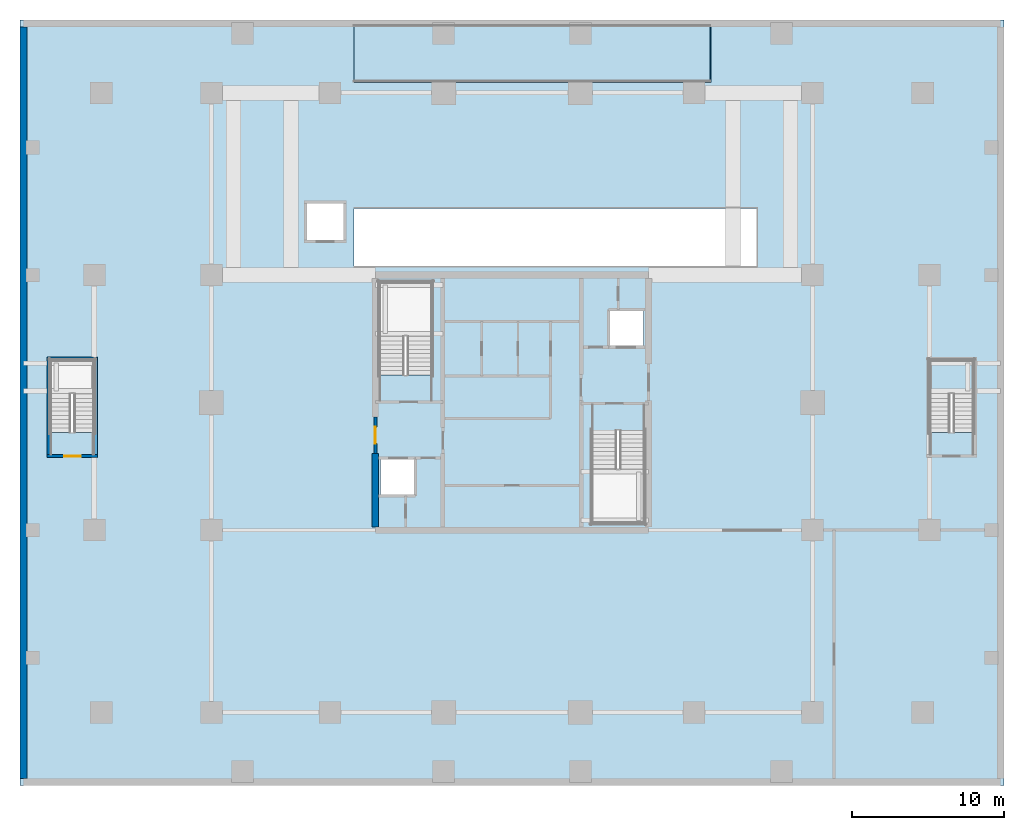
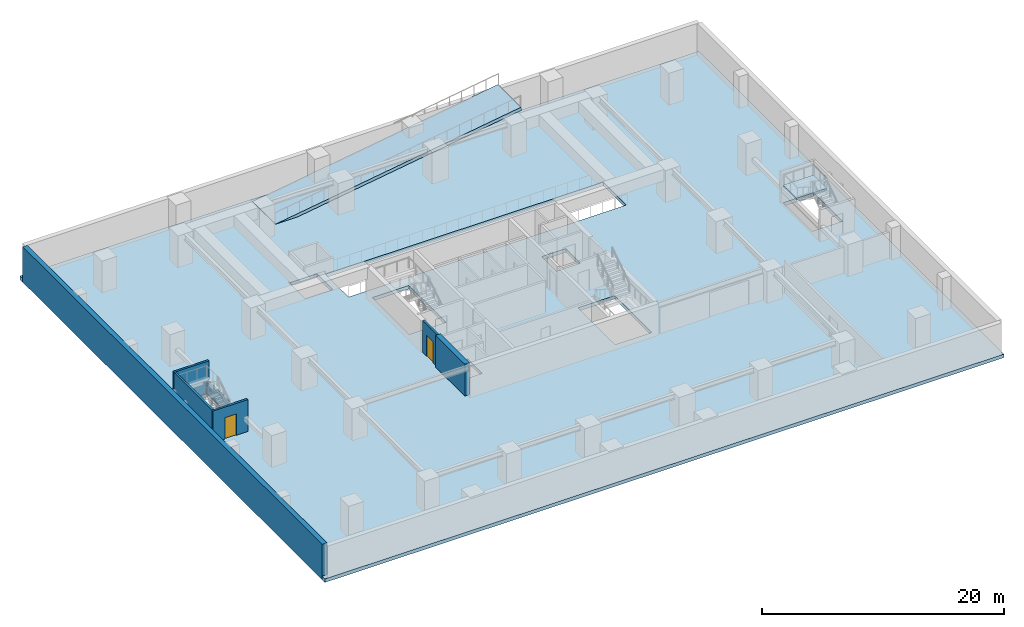
# One storey, part 2 of 10: 7 walls, 3 slabs, 2 doors, 2 openings, 1 element without a shape of its own.
"""IFC4 building model written with IfcOpenShell, lengths in metres."""

from ifc_helpers import new_model, si_unit, direction, frame, frame_2d, origin, place, context, subcontext, project, spatial, polyline, rectangle, outline, extrude, source, transform, mapped, material, layer, layer_set, type_object, element, fill, aggregate, save


model = new_model("IFC4")

# Units and contexts
model_context = context("Model", 3, precision=1e-05, world=origin(), true_north=direction((0.0, 1.0)))
body_context = subcontext(model_context, "Body", "Model", "MODEL_VIEW")
ifc_project = project(units=[si_unit("LENGTHUNIT", "METRE"), si_unit("AREAUNIT", "SQUARE_METRE"), si_unit("VOLUMEUNIT", "CUBIC_METRE"), si_unit("PLANEANGLEUNIT", "RADIAN"), si_unit("MASSUNIT", "GRAM", prefix="KILO")], contexts=[model_context])

# Site, building, storey
site_placement = place(None, origin())
site = spatial("IfcSite", under=ifc_project, at=site_placement, CompositionType="ELEMENT")
building_placement = place(site_placement, origin())
building = spatial("IfcBuilding", under=site, at=building_placement, Name="Serunith Strait Residences", CompositionType="ELEMENT")
storey_placement = place(building_placement, frame((0.0, 0.0, -3.60009765625)))
storey = spatial("IfcBuildingStorey", under=building, at=storey_placement, Name="B01", CompositionType="ELEMENT", Elevation=-3.60009765625)

# Slab
ifc_material_1 = material(Name="Concrete C50/60", Category="concrete")
ifc_layer_1 = layer(ifc_material_1, 0.360107421875, Name="Concrete C50/60")
ifc_layer_set_1 = layer_set([ifc_layer_1], Name="Concrete C50/60")
slab_type_1 = type_object("IfcSlabType", Name="SLB-BSMT-360", PredefinedType="FLOOR", material=ifc_layer_set_1)
slab_1_placement = place(storey_placement, frame((0.0, 0.0, -0.35986328125)))
element("IfcSlab", 1, at=slab_1_placement, inside=storey, type_object=slab_type_1, Name="B01 Structural Floor Plate", PredefinedType="FLOOR", context=body_context, shape_type="SweptSolid", body=[
    extrude(outline(polyline([(0.0, 50.39990234375), (64.800048828125, 50.39990234375), (64.800048828125, 0.0), (0.0, 0.0), (0.0, 50.39990234375)]), holes=[polyline([(59.89990234375, 28.0), (59.89990234375, 23.25), (62.800048828125, 23.25), (62.800048828125, 28.0), (59.89990234375, 28.0)]), polyline([(48.5, 38.0), (22.0, 38.0), (22.0, 34.199951171875), (48.5, 34.199951171875), (48.5, 38.0)]), polyline([(41.14990234375, 17.25), (41.14990234375, 23.3701171875), (37.64990234375, 23.3701171875), (37.64990234375, 17.25), (41.14990234375, 17.25)]), polyline([(41.050048828125, 31.25), (38.75, 31.25), (38.75, 28.85009765625), (41.050048828125, 28.85009765625), (41.050048828125, 31.25)]), polyline([(23.64990234375, 33.14990234375), (23.64990234375, 27.030029296875), (27.14990234375, 27.030029296875), (27.14990234375, 33.14990234375), (23.64990234375, 33.14990234375)]), polyline([(26.050048828125, 21.550048828125), (23.75, 21.550048828125), (23.75, 19.14990234375), (26.050048828125, 19.14990234375), (26.050048828125, 21.550048828125)]), polyline([(24.163330078125, 46.300048828125), (24.163330078125, 50.10009765625), (22.0, 50.10009765625), (22.0, 46.300048828125), (24.163330078125, 46.300048828125)]), polyline([(21.39990234375, 35.800048828125), (21.39990234375, 38.39990234375), (18.800048828125, 38.39990234375), (18.800048828125, 35.800048828125), (21.39990234375, 35.800048828125)]), polyline([(2.0, 28.0), (2.0, 23.25), (4.89990234375, 23.25), (4.89990234375, 28.0), (2.0, 28.0)])]), origin(), (0.0, 0.0, 1.0), 0.35986328125),
])

# Stair, slab
stair_type = type_object("IfcStairType", Name="STR-BSMT-6", PredefinedType="HALF_TURN_STAIR", material=ifc_material_1)
stair_placement = place(storey_placement, origin())
stair = element("IfcStair", 2, at=stair_placement, inside=storey, type_object=stair_type, Name="B01 Basement Escape Stair ST-6", PredefinedType="HALF_TURN_STAIR")
ifc_layer_2 = layer(ifc_material_1, 0.199951171875, Name="Concrete C50/60")
ifc_layer_set_2 = layer_set([ifc_layer_2], Name="Concrete C50/60")
slab_type_2 = type_object("IfcSlabType", Name="SLB-LAND-200", PredefinedType="LANDING", material=ifc_layer_set_2)
slab_2_placement = place(storey_placement, frame((0.0, 0.0, 1.60009765625)))
slab_2 = element("IfcSlab", 3, at=slab_2_placement, type_object=slab_type_2, Name="ST-6 landing 1", PredefinedType="LANDING", context=body_context, shape_type="SweptSolid", body=[
    extrude(outline(polyline([(62.800048828125, 25.77001953125), (62.800048828125, 28.0), (59.89990234375, 28.0), (59.89990234375, 25.77001953125), (62.800048828125, 25.77001953125)])), origin(), (0.0, 0.0, 1.0), 0.199951171875),
])
aggregate(stair, [slab_2])

# Slab
ifc_layer_3 = layer(ifc_material_1, 0.320068359375, Name="Concrete C50/60")
ifc_layer_set_3 = layer_set([ifc_layer_3], Name="Concrete C50/60")
slab_type_3 = type_object("IfcSlabType", Name="SLB-RAMP-320", PredefinedType="FLOOR", material=ifc_layer_set_3)
slab_3_placement = place(storey_placement, frame((22.0048828125, 46.300048828125, 0.0), z_axis=(-0.151806534681, 0.0, 0.98841022659), x_axis=(0.98841022659, 0.0, 0.151806534681)))
element("IfcSlab", 4, at=slab_3_placement, inside=storey, type_object=slab_type_3, Name="Car Park Two-Way Structural Vehicle Ramp Slab B01 to L00", PredefinedType="FLOOR", context=body_context, shape_type="SweptSolid", body=[
    extrude(outline(polyline([(0.0, 0.0), (23.715037457412215, 0.0), (23.715037457412215, 3.800048828125), (0.0, 3.800048828125), (0.0, 0.0)])), origin(), (0.0, 0.0, -1.0), 0.320068359375),
])

# Wall, opening, door
ifc_material_2 = material(Name="Autoclaved aerated concrete blockwork", Category="masonry")
ifc_layer_4 = layer(ifc_material_2, 0.199951171875, Name="Autoclaved aerated concrete blockwork")
ifc_layer_set_4 = layer_set([ifc_layer_4], Name="Autoclaved aerated concrete blockwork")
wall_type_1 = type_object("IfcWallType", Name="IW-SHAFT-200", PredefinedType="STANDARD", material=ifc_layer_set_4)
wall_1_placement = place(storey_placement, frame((1.780029296875, 21.679931640625, 0.0), z_axis=(0.0, 0.0, 1.0), x_axis=(1.0, 0.0, 0.0)))
wall_1 = element("IfcWall", 5, at=wall_1_placement, inside=storey, type_object=wall_type_1, Name="B01 ST-5 South Shaft Wall", PredefinedType="STANDARD", context=body_context, shape_type="SweptSolid", body=[
    extrude(rectangle(XDim=3.340087890625, YDim=0.199951171875, at=frame_2d((1.669921875, 0.0))), origin(), (0.0, 0.0, 1.0), 3.22021484375),
])
opening_1_placement = place(wall_1_placement, frame((1.1201171875, 0.0, 0.0)))
opening_1 = element("IfcOpeningElement", 6, at=opening_1_placement, cuts=wall_1, Name="Opening FD-1100", PredefinedType="OPENING", context=body_context, shape_type="SweptSolid", body=[
    extrude(rectangle(XDim=1.10009765625, YDim=2.14990234375, at=frame_2d((0.550048828125, 1.074951171875))), frame((0.0, 0.10986328125, 0.0), z_axis=(0.0, -1.0, 0.0), x_axis=(1.0, 0.0, 0.0)), (0.0, 0.0, 1.0), 0.219970703125),
])
ifc_material_3 = material(Name="Galvanised steel fire door leaf", Category="steel")
door_type_1 = type_object("IfcDoorType", Name="FD-STAIR-1100", OperationType="NOTDEFINED", PredefinedType="DOOR", material=ifc_material_3)
shared_shape = source(origin(), body_context, "Body", "SweptSolid", [
    extrude(rectangle(XDim=1.10009765625, YDim=2.14990234375, at=frame_2d((0.550048828125, 1.074951171875))), frame((0.0, 0.02490234375, 0.0), z_axis=(0.0, -1.0, 0.0), x_axis=(1.0, 0.0, 0.0)), (0.0, 0.0, 1.0), 0.050048828125),
])
door_1_placement = place(opening_1_placement, origin())
door_1 = element("IfcDoor", 7, at=door_1_placement, inside=storey, type_object=door_type_1, Name="B01 ST-5 Escape Stair Door", OperationType="SINGLE_SWING_RIGHT", OverallHeight=2.14990234375, OverallWidth=1.10009765625, PredefinedType="DOOR", context=body_context, shape_type="MappedRepresentation", body=[
    mapped(shared_shape, transform((0.0, 0.0, 0.0), scale=1.0)),
])
fill(opening_1, door_1)

# Walls
wall_2_placement = place(storey_placement, frame((1.780029296875, 28.1201171875, 0.0), z_axis=(0.0, 0.0, 1.0), x_axis=(1.0, 0.0, 0.0)))
element("IfcWall", 8, at=wall_2_placement, inside=storey, type_object=wall_type_1, Name="B01 ST-5 North Shaft Wall", PredefinedType="STANDARD", context=body_context, shape_type="SweptSolid", body=[
    extrude(rectangle(XDim=3.340087890625, YDim=0.199951171875, at=frame_2d((1.669921875, 0.0))), origin(), (0.0, 0.0, 1.0), 3.22021484375),
])
wall_3_placement = place(storey_placement, frame((1.8798828125, 21.780029296875, 0.0), z_axis=(0.0, 0.0, 1.0), x_axis=(0.0, 1.0, 0.0)))
element("IfcWall", 9, at=wall_3_placement, inside=storey, type_object=wall_type_1, Name="B01 ST-5 West Shaft Wall", PredefinedType="STANDARD", context=body_context, shape_type="SweptSolid", body=[
    extrude(rectangle(XDim=6.239990234375, YDim=0.199951171875, at=frame_2d((3.1201171875, 0.0))), origin(), (0.0, 0.0, 1.0), 3.22021484375),
])
wall_4_placement = place(storey_placement, frame((5.02001953125, 21.780029296875, 0.0), z_axis=(0.0, 0.0, 1.0), x_axis=(0.0, 1.0, 0.0)))
element("IfcWall", 10, at=wall_4_placement, inside=storey, type_object=wall_type_1, Name="B01 ST-5 East Shaft Wall", PredefinedType="STANDARD", context=body_context, shape_type="SweptSolid", body=[
    extrude(rectangle(XDim=6.239990234375, YDim=0.199951171875, at=frame_2d((3.1201171875, 0.0))), origin(), (0.0, 0.0, 1.0), 1.18505859375),
])

# Wall, opening, door
wall_5_placement = place(storey_placement, frame((23.39990234375, 21.85205078125, 0.0), z_axis=(0.0, 0.0, 1.0), x_axis=(0.0, 1.0, 0.0)))
wall_5 = element("IfcWall", 11, at=wall_5_placement, inside=storey, type_object=wall_type_1, Name="B01 Partition Wall 007", PredefinedType="STANDARD", context=body_context, shape_type="SweptSolid", body=[
    extrude(rectangle(XDim=2.39599609375, YDim=0.199951171875, at=frame_2d((1.197998046875, 0.0))), origin(), (0.0, 0.0, 1.0), 3.22021484375),
])
opening_2_placement = place(wall_5_placement, frame((0.64794921875, 0.0, 0.0)))
opening_2 = element("IfcOpeningElement", 12, at=opening_2_placement, cuts=wall_5, Name="Opening FD-FFL", PredefinedType="OPENING", context=body_context, shape_type="SweptSolid", body=[
    extrude(rectangle(XDim=1.10009765625, YDim=2.14990234375, at=frame_2d((0.550048828125, 1.074951171875))), frame((0.0, 0.10986328125, 0.0), z_axis=(0.0, -1.0, 0.0), x_axis=(1.0, 0.0, 0.0)), (0.0, 0.0, 1.0), 0.219970703125),
])
ifc_material_4 = material(Name="Glazed steel smoke-lobby fire door", Category="steel")
door_type_2 = type_object("IfcDoorType", Name="FD-FFL-1100", OperationType="NOTDEFINED", PredefinedType="DOOR", material=ifc_material_4)
door_2_placement = place(opening_2_placement, origin())
door_2 = element("IfcDoor", 13, at=door_2_placement, inside=storey, type_object=door_type_2, Name="B01 FFL-1 Corridor Fire Door", OperationType="SINGLE_SWING_LEFT", OverallHeight=2.14990234375, OverallWidth=1.10009765625, PredefinedType="DOOR", context=body_context, shape_type="MappedRepresentation", body=[
    mapped(shared_shape, transform((0.0, 0.0, 0.0), scale=1.0)),
])
fill(opening_2, door_2)

# Walls
ifc_layer_5 = layer(ifc_material_1, 0.449951171875, Name="Concrete C50/60")
ifc_layer_set_5 = layer_set([ifc_layer_5], Name="Concrete C50/60")
wall_type_2 = type_object("IfcWallType", Name="RW-450-C50", PredefinedType="USERDEFINED", material=ifc_layer_set_5)
wall_6_placement = place(storey_placement, frame((0.22509765625, 49.949951171875, -0.35986328125), z_axis=(0.0, 0.0, 1.0), x_axis=(0.0, -1.0, 0.0)))
element("IfcWall", 14, at=wall_6_placement, inside=storey, type_object=wall_type_2, Name="B01 West Diaphragm Wall", ObjectType="RETAININGWALL", PredefinedType="USERDEFINED", context=body_context, shape_type="SweptSolid", body=[
    extrude(rectangle(XDim=49.5, YDim=0.449951171875, at=frame_2d((24.75, 0.0))), origin(), (0.0, 0.0, 1.0), 3.577880859375),
])
ifc_material_5 = material(Name="Concrete C80/95", Category="concrete")
ifc_layer_6 = layer(ifc_material_5, 0.449951171875, Name="Concrete C80/95")
ifc_layer_set_6 = layer_set([ifc_layer_6], Name="Concrete C80/95")
wall_type_3 = type_object("IfcWallType", Name="SW-450-C80", PredefinedType="SHEAR", material=ifc_layer_set_6)
wall_7_placement = place(storey_placement, frame((23.39990234375, 17.02490234375, -0.35986328125), z_axis=(0.0, 0.0, 1.0), x_axis=(0.0, 1.0, 0.0)))
element("IfcWall", 15, at=wall_7_placement, inside=storey, type_object=wall_type_3, Name="B01 Core West Shear Wall South Pier", PredefinedType="SHEAR", context=body_context, shape_type="SweptSolid", body=[
    extrude(rectangle(XDim=4.8251953125, YDim=0.449951171875, at=frame_2d((2.41259765625, 0.0))), origin(), (0.0, 0.0, 1.0), 3.577880859375),
])

save(model, "model.ifc")
